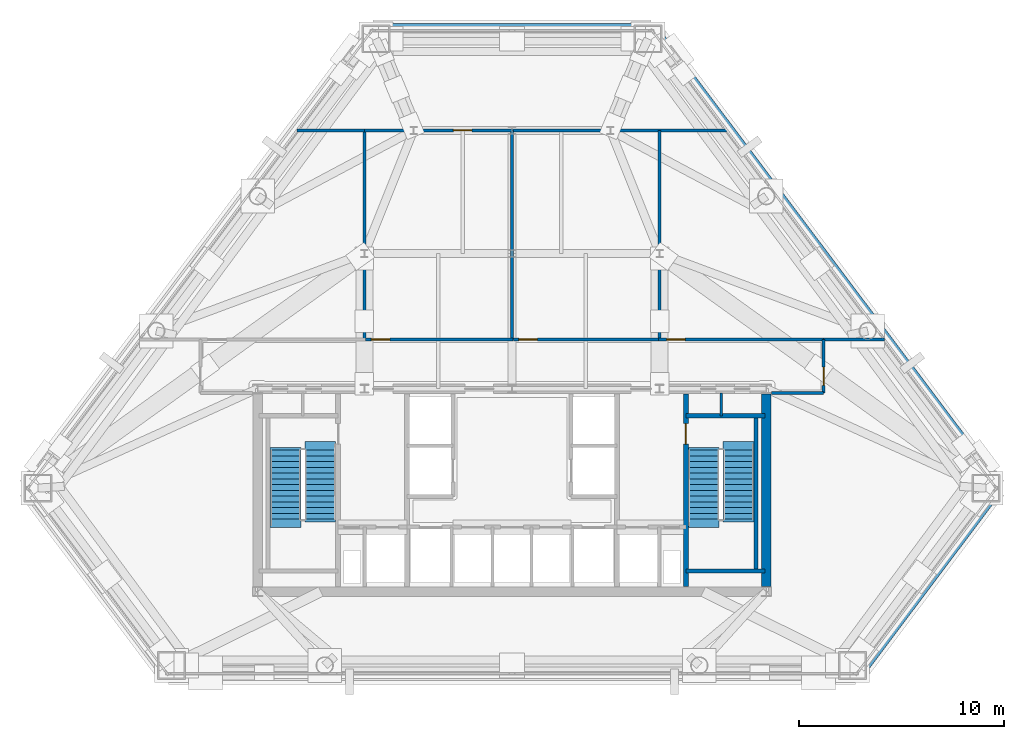
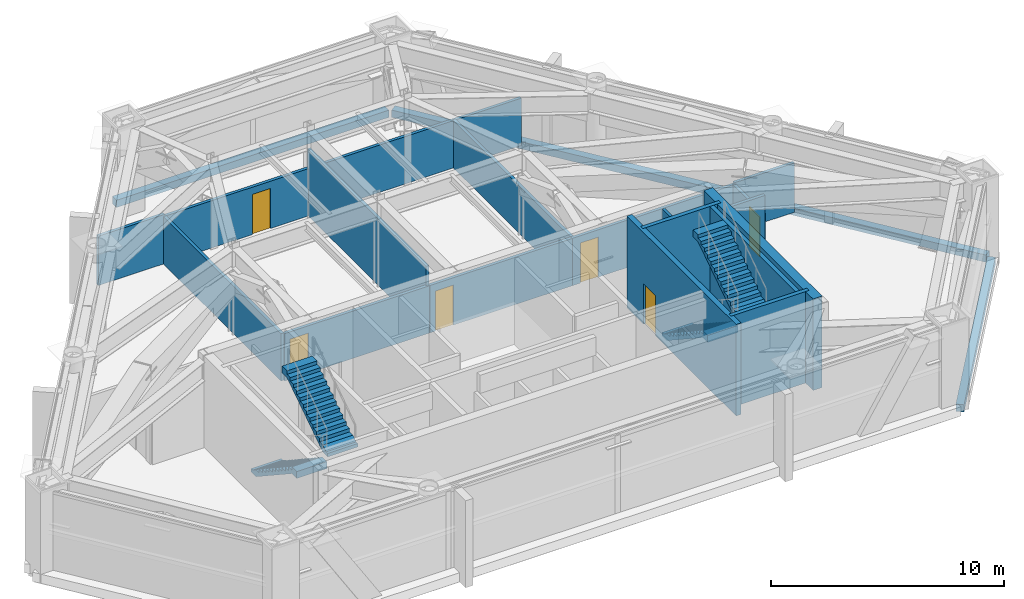
# One storey, part 7 of 9: 21 walls, 6 doors, 4 stair flights, 6 openings, 2 elements without a shape of their own.
"""IFC4 building model written with IfcOpenShell, lengths in metres."""

from ifc_helpers import new_model, si_unit, direction, frame, frame_2d, origin, place, context, subcontext, project, spatial, polyline, rectangle, outline, extrude, material, layer, layer_set, type_object, element, fill, aggregate, save


model = new_model("IFC4")

# Units and contexts
model_context = context("Model", 3, precision=1e-05, world=origin(), true_north=direction((0.0, 1.0)))
body_context = subcontext(model_context, "Body", "Model", "MODEL_VIEW")
ifc_project = project(units=[si_unit("LENGTHUNIT", "METRE"), si_unit("AREAUNIT", "SQUARE_METRE"), si_unit("VOLUMEUNIT", "CUBIC_METRE"), si_unit("PLANEANGLEUNIT", "RADIAN"), si_unit("MASSUNIT", "GRAM", prefix="KILO")], contexts=[model_context])

# Site, building, storey
site_placement = place(None, origin())
site = spatial("IfcSite", under=ifc_project, at=site_placement, CompositionType="ELEMENT")
building_placement = place(site_placement, origin())
building = spatial("IfcBuilding", under=site, at=building_placement, Name="Talgorran Terracotta Tower", CompositionType="ELEMENT")
storey_placement = place(building_placement, frame((0.0, 0.0, 90.0)))
storey = spatial("IfcBuildingStorey", under=building, at=storey_placement, Name="L23", CompositionType="ELEMENT", Elevation=90.0)

# Walls
ifc_material_1 = material(Name="Concrete C50/60", Category="concrete")
ifc_layer_1 = layer(ifc_material_1, 0.199951171875, Name="WT_CORE_200")
ifc_layer_set_1 = layer_set([ifc_layer_1], Name="Concrete C50/60")
wall_type_1 = type_object("IfcWallType", Name="WT_CORE_200", PredefinedType="SOLIDWALL", material=ifc_layer_set_1)
for number, where, z_axis, x_axis, name in (
    (1, (8.47998046875, -5.52001953125, 0.0), (0.0, 0.0, 1.0), (1.0, 0.0, 0.0), "WL-L23-CW-ST2-N"),
    (2, (8.47998046875, -13.10009765625, 0.0), (0.0, 0.0, 1.0), (1.0, 0.0, 0.0), "WL-L23-CW-ST2-S"),
):
    element("IfcWall", number, at=place(storey_placement, frame(where, z_axis=z_axis, x_axis=x_axis)), inside=storey, type_object=wall_type_1, Name=name, PredefinedType="SOLIDWALL", context=body_context, shape_type="SweptSolid", body=[
        extrude(rectangle(XDim=3.8701171875, YDim=0.199951171875, at=frame_2d((1.93505859375, 0.0))), origin(), (0.0, 0.0, 1.0), 4.800048828125),
    ])
wall_1_placement = place(storey_placement, frame((11.89990234375, -13.10009765625, 0.0), z_axis=(0.0, 0.0, 1.0), x_axis=(0.0, 1.0, 0.0)))
element("IfcWall", 3, at=wall_1_placement, inside=storey, type_object=wall_type_1, Name="WL-L23-CW-ST2-E", PredefinedType="SOLIDWALL", context=body_context, shape_type="SweptSolid", body=[
    extrude(rectangle(XDim=7.580078125, YDim=0.199951171875, at=frame_2d((3.7900390625, 0.0))), origin(), (0.0, 0.0, 1.0), 4.800048828125),
])

# Wall, opening, door
ifc_layer_2 = layer(ifc_material_1, 0.25, Name="WT_CORE_250")
ifc_layer_set_2 = layer_set([ifc_layer_2], Name="Concrete C50/60")
wall_type_2 = type_object("IfcWallType", Name="WT_CORE_250", PredefinedType="SHEAR", material=ifc_layer_set_2)
wall_2_placement = place(storey_placement, frame((8.47998046875, -13.85009765625, 0.0), z_axis=(0.0, 0.0, 1.0), x_axis=(0.0, 1.0, 0.0)))
wall_2 = element("IfcWall", 4, at=wall_2_placement, inside=storey, type_object=wall_type_2, Name="WL-L23-CW-V-E1", PredefinedType="SHEAR", context=body_context, shape_type="SweptSolid", body=[
    extrude(rectangle(XDim=9.400146484375, YDim=0.25, at=frame_2d((4.7001953125, 0.0))), origin(), (0.0, 0.0, 1.0), 4.800048828125),
])
opening_1_placement = place(wall_2_placement, frame((6.949951171875, 0.0, 0.0)))
opening_1 = element("IfcOpeningElement", 5, at=opening_1_placement, cuts=wall_2, Name="Opening DR-ST02", PredefinedType="OPENING", context=body_context, shape_type="SweptSolid", body=[
    extrude(rectangle(XDim=1.006, YDim=2.10409765625, at=frame_2d((0.5, 1.052001953125))), frame((0.0, 0.135009765625, 0.0), z_axis=(0.0, -1.0, 0.0), x_axis=(1.0, 0.0, 0.0)), (0.0, 0.0, 1.0), 0.27001953125),
])
ifc_material_2 = material(Name="Fire-Rated Pressed Steel", Category="steel")
door_type_1 = type_object("IfcDoorType", Name="DT_FIRE_1000", OperationType="NOTDEFINED", PredefinedType="DOOR", material=ifc_material_2)
door_1_placement = place(opening_1_placement, origin())
door_1 = element("IfcDoor", 6, at=door_1_placement, inside=storey, type_object=door_type_1, Name="DR-ST02", OperationType="SINGLE_SWING_RIGHT", OverallHeight=2.10009765625, OverallWidth=1.0, PredefinedType="DOOR", context=body_context, shape_type="SweptSolid", body=[
    extrude(rectangle(XDim=1.0, YDim=2.10009765625, at=frame_2d((0.5, 1.050048828125))), frame((0.0, 0.02490234375, 0.0), z_axis=(0.0, -1.0, 0.0), x_axis=(1.0, 0.0, 0.0)), (0.0, 0.0, 1.0), 0.050048828125),
])
fill(opening_1, door_1)

# Walls
ifc_material_3 = material(Name="Concrete C65/80", Category="concrete")
ifc_layer_3 = layer(ifc_material_3, 0.449951171875, Name="WT_CORE_EXT")
ifc_layer_set_3 = layer_set([ifc_layer_3], Name="Concrete C65/80")
wall_type_3 = type_object("IfcWallType", Name="WT_CORE_EXT", PredefinedType="SHEAR", material=ifc_layer_set_3)
wall_3_placement = place(storey_placement, frame((12.39990234375, -13.85009765625, 0.0), z_axis=(0.0, 0.0, 1.0), x_axis=(0.0, 1.0, 0.0)))
element("IfcWall", 7, at=wall_3_placement, inside=storey, type_object=wall_type_3, Name="WL-L23-CW-OUT-E", PredefinedType="SHEAR", context=body_context, shape_type="SweptSolid", body=[
    extrude(rectangle(XDim=9.400146484375, YDim=0.449951171875, at=frame_2d((4.7001953125, 0.0))), origin(), (0.0, 0.0, 1.0), 4.800048828125),
])
ifc_material_4 = material(Name="Fire-Rated Steel Stud Plasterboard", Category="steel")
ifc_layer_4 = layer(ifc_material_4, 0.14990234375, Name="WT_FIRE_150")
ifc_layer_set_4 = layer_set([ifc_layer_4], Name="Fire-Rated Steel Stud Plasterboard")
wall_type_4 = type_object("IfcWallType", Name="WT_FIRE_150", PredefinedType="PARTITIONING", material=ifc_layer_set_4)
wall_4_placement = place(storey_placement, frame((-7.199951171875, -1.800048828125, 0.0), z_axis=(0.0, 0.0, 1.0), x_axis=(0.0, 1.0, 0.0)))
element("IfcWall", 8, at=wall_4_placement, inside=storey, type_object=wall_type_4, Name="WL-L23-W-L23-R11", PredefinedType="PARTITIONING", context=body_context, shape_type="SweptSolid", body=[
    extrude(rectangle(XDim=10.199951171875, YDim=0.14990234375, at=frame_2d((5.10009765625, 0.0))), origin(), (0.0, 0.0, 1.0), 2.485107421875),
])
wall_5_placement = place(storey_placement, frame((0.0, -1.800048828125, 0.0), z_axis=(0.0, 0.0, 1.0), x_axis=(0.0, 1.0, 0.0)))
element("IfcWall", 9, at=wall_5_placement, inside=storey, type_object=wall_type_4, Name="WL-L23-W-L23-R13", PredefinedType="PARTITIONING", context=body_context, shape_type="SweptSolid", body=[
    extrude(rectangle(XDim=10.199951171875, YDim=0.14990234375, at=frame_2d((5.10009765625, 0.0))), origin(), (0.0, 0.0, 1.0), 3.4951171875),
])
wall_6_placement = place(storey_placement, frame((7.199951171875, -1.800048828125, 0.0), z_axis=(0.0, 0.0, 1.0), x_axis=(0.0, 1.0, 0.0)))
element("IfcWall", 10, at=wall_6_placement, inside=storey, type_object=wall_type_4, Name="WL-L23-W-L23-R15", PredefinedType="PARTITIONING", context=body_context, shape_type="SweptSolid", body=[
    extrude(rectangle(XDim=10.199951171875, YDim=0.14990234375, at=frame_2d((5.10009765625, 0.0))), origin(), (0.0, 0.0, 1.0), 2.485107421875),
])

# Wall, opening, door
wall_7_placement = place(storey_placement, frame((7.139892578125, -1.800048828125, 0.0), z_axis=(0.0, 0.0, 1.0), x_axis=(1.0, 0.0, 0.0)))
wall_7 = element("IfcWall", 11, at=wall_7_placement, inside=storey, type_object=wall_type_4, Name="WL-L23-W-L23-R08", PredefinedType="PARTITIONING", context=body_context, shape_type="SweptSolid", body=[
    extrude(rectangle(XDim=8.06005859375, YDim=0.14990234375, at=frame_2d((4.030029296875, 0.0))), origin(), (0.0, 0.0, 1.0), 2.485107421875),
])
opening_2_placement = place(wall_7_placement, frame((0.39990234375, 0.0, 0.0)))
opening_2 = element("IfcOpeningElement", 12, at=opening_2_placement, cuts=wall_7, Name="Opening DR-L23-R06", PredefinedType="OPENING", context=body_context, shape_type="SweptSolid", body=[
    extrude(rectangle(XDim=0.90590234375, YDim=2.10409765625, at=frame_2d((0.449951171875, 1.052001953125))), frame((0.0, 0.0849609375, 0.0), z_axis=(0.0, -1.0, 0.0), x_axis=(1.0, 0.0, 0.0)), (0.0, 0.0, 1.0), 0.169921875),
])
ifc_material_5 = material(Name="Fire-Rated Timber Core", Category="wood")
door_type_2 = type_object("IfcDoorType", Name="DT_FIRE_900", OperationType="NOTDEFINED", PredefinedType="DOOR", material=ifc_material_5)
door_2_placement = place(opening_2_placement, origin())
door_2 = element("IfcDoor", 13, at=door_2_placement, inside=storey, type_object=door_type_2, Name="DR-L23-R06", OperationType="SINGLE_SWING_RIGHT", OverallHeight=2.10009765625, OverallWidth=0.89990234375, PredefinedType="DOOR", context=body_context, shape_type="SweptSolid", body=[
    extrude(rectangle(XDim=0.89990234375, YDim=2.10009765625, at=frame_2d((0.449951171875, 1.050048828125))), frame((0.0, 0.02490234375, 0.0), z_axis=(0.0, -1.0, 0.0), x_axis=(1.0, 0.0, 0.0)), (0.0, 0.0, 1.0), 0.050048828125),
])
fill(opening_2, door_2)

wall_8_placement = place(storey_placement, frame((-7.137939453125, -1.800048828125, 0.0), z_axis=(0.0, 0.0, 1.0), x_axis=(1.0, 0.0, 0.0)))
wall_8 = element("IfcWall", 14, at=wall_8_placement, inside=storey, type_object=wall_type_4, Name="WL-L23-W-L23-R06", PredefinedType="PARTITIONING", context=body_context, shape_type="SweptSolid", body=[
    extrude(rectangle(XDim=7.197998046875, YDim=0.14990234375, at=frame_2d((3.59912109375, 0.0))), origin(), (0.0, 0.0, 1.0), 2.485107421875),
])
opening_3_placement = place(wall_8_placement, frame((0.277099609375, 0.0, 0.0)))
opening_3 = element("IfcOpeningElement", 15, at=opening_3_placement, cuts=wall_8, Name="Opening DR-L23-R04", PredefinedType="OPENING", context=body_context, shape_type="SweptSolid", body=[
    extrude(rectangle(XDim=0.90590234375, YDim=2.10409765625, at=frame_2d((0.449951171875, 1.052001953125))), frame((0.0, 0.0849609375, 0.0), z_axis=(0.0, -1.0, 0.0), x_axis=(1.0, 0.0, 0.0)), (0.0, 0.0, 1.0), 0.169921875),
])
door_3_placement = place(opening_3_placement, origin())
door_3 = element("IfcDoor", 16, at=door_3_placement, inside=storey, type_object=door_type_2, Name="DR-L23-R04", OperationType="SINGLE_SWING_RIGHT", OverallHeight=2.10009765625, OverallWidth=0.89990234375, PredefinedType="DOOR", context=body_context, shape_type="SweptSolid", body=[
    extrude(rectangle(XDim=0.89990234375, YDim=2.10009765625, at=frame_2d((0.449951171875, 1.050048828125))), frame((0.0, 0.02490234375, 0.0), z_axis=(0.0, -1.0, 0.0), x_axis=(1.0, 0.0, 0.0)), (0.0, 0.0, 1.0), 0.050048828125),
])
fill(opening_3, door_3)

wall_9_placement = place(storey_placement, frame((0.06201171875, -1.800048828125, 0.0), z_axis=(0.0, 0.0, 1.0), x_axis=(1.0, 0.0, 0.0)))
wall_9 = element("IfcWall", 17, at=wall_9_placement, inside=storey, type_object=wall_type_4, Name="WL-L23-W-L23-R07", PredefinedType="PARTITIONING", context=body_context, shape_type="SweptSolid", body=[
    extrude(rectangle(XDim=7.075927734375, YDim=0.14990234375, at=frame_2d((3.5380859375, 0.0))), origin(), (0.0, 0.0, 1.0), 2.485107421875),
])
opening_4_placement = place(wall_9_placement, frame((0.277099609375, 0.0, 0.0)))
opening_4 = element("IfcOpeningElement", 18, at=opening_4_placement, cuts=wall_9, Name="Opening DR-L23-R05", PredefinedType="OPENING", context=body_context, shape_type="SweptSolid", body=[
    extrude(rectangle(XDim=0.90590234375, YDim=2.10409765625, at=frame_2d((0.449951171875, 1.052001953125))), frame((0.0, 0.0849609375, 0.0), z_axis=(0.0, -1.0, 0.0), x_axis=(1.0, 0.0, 0.0)), (0.0, 0.0, 1.0), 0.169921875),
])
door_4_placement = place(opening_4_placement, origin())
door_4 = element("IfcDoor", 19, at=door_4_placement, inside=storey, type_object=door_type_2, Name="DR-L23-R05", OperationType="SINGLE_SWING_LEFT", OverallHeight=2.10009765625, OverallWidth=0.89990234375, PredefinedType="DOOR", context=body_context, shape_type="SweptSolid", body=[
    extrude(rectangle(XDim=0.89990234375, YDim=2.10009765625, at=frame_2d((0.449951171875, 1.050048828125))), frame((0.0, 0.02490234375, 0.0), z_axis=(0.0, -1.0, 0.0), x_axis=(1.0, 0.0, 0.0)), (0.0, 0.0, 1.0), 0.050048828125),
])
fill(opening_4, door_4)

wall_10_placement = place(storey_placement, frame((-7.199951171875, 8.39990234375, 0.0), z_axis=(0.0, 0.0, 1.0), x_axis=(1.0, 0.0, 0.0)))
wall_10 = element("IfcWall", 20, at=wall_10_placement, inside=storey, type_object=wall_type_4, Name="WL-L23-W-L23-R14", PredefinedType="PARTITIONING", context=body_context, shape_type="SweptSolid", body=[
    extrude(rectangle(XDim=7.199951171875, YDim=0.14990234375, at=frame_2d((3.60009765625, 0.0))), origin(), (0.0, 0.0, 1.0), 2.485107421875),
])
opening_5_placement = place(wall_10_placement, frame((4.34619140625, 0.0, 0.0)))
opening_5 = element("IfcOpeningElement", 21, at=opening_5_placement, cuts=wall_10, Name="Opening DR-L23-R07", PredefinedType="OPENING", context=body_context, shape_type="SweptSolid", body=[
    extrude(rectangle(XDim=0.90590234375, YDim=2.10409765625, at=frame_2d((0.449951171875, 1.052001953125))), frame((0.0, 0.0849609375, 0.0), z_axis=(0.0, -1.0, 0.0), x_axis=(1.0, 0.0, 0.0)), (0.0, 0.0, 1.0), 0.169921875),
])
door_5_placement = place(opening_5_placement, origin())
door_5 = element("IfcDoor", 22, at=door_5_placement, inside=storey, type_object=door_type_2, Name="DR-L23-R07", OperationType="SINGLE_SWING_LEFT", OverallHeight=2.10009765625, OverallWidth=0.89990234375, PredefinedType="DOOR", context=body_context, shape_type="SweptSolid", body=[
    extrude(rectangle(XDim=0.89990234375, YDim=2.10009765625, at=frame_2d((0.449951171875, 1.050048828125))), frame((0.0, 0.02490234375, 0.0), z_axis=(0.0, -1.0, 0.0), x_axis=(1.0, 0.0, 0.0)), (0.0, 0.0, 1.0), 0.050048828125),
])
fill(opening_5, door_5)

# Walls
wall_11_placement = place(storey_placement, frame((0.0, 8.39990234375, 0.0), z_axis=(0.0, 0.0, 1.0), x_axis=(1.0, 0.0, 0.0)))
element("IfcWall", 23, at=wall_11_placement, inside=storey, type_object=wall_type_4, Name="WL-L23-W-L23-R16", PredefinedType="PARTITIONING", context=body_context, shape_type="SweptSolid", body=[
    extrude(rectangle(XDim=10.49560546875, YDim=0.14990234375, at=frame_2d((5.247802734375, 0.0))), origin(), (0.0, 0.0, 1.0), 2.485107421875),
])
wall_12_placement = place(storey_placement, frame((-10.49560546875, 8.39990234375, 0.0), z_axis=(0.0, 0.0, 1.0), x_axis=(1.0, 0.0, 0.0)))
element("IfcWall", 24, at=wall_12_placement, inside=storey, type_object=wall_type_4, Name="WL-L23-W-L23-R12", PredefinedType="PARTITIONING", context=body_context, shape_type="SweptSolid", body=[
    extrude(rectangle(XDim=3.295654296875, YDim=0.14990234375, at=frame_2d((1.64794921875, 0.0))), origin(), (0.0, 0.0, 1.0), 2.5849609375),
])
wall_13_placement = place(storey_placement, frame((15.199951171875, -1.800048828125, 0.0), z_axis=(0.0, 0.0, 1.0), x_axis=(1.0, 0.0, 0.0)))
element("IfcWall", 25, at=wall_13_placement, inside=storey, type_object=wall_type_4, Name="WL-L23-W-L23-R10", PredefinedType="PARTITIONING", context=body_context, shape_type="SweptSolid", body=[
    extrude(rectangle(XDim=2.966552734375, YDim=0.14990234375, at=frame_2d((1.4833984375, 0.0))), origin(), (0.0, 0.0, 1.0), 2.5849609375),
])
wall_14_placement = place(storey_placement, frame((12.652099609375, -4.39990234375, 0.0), z_axis=(0.0, 0.0, 1.0), x_axis=(1.0, 0.0, 0.0)))
element("IfcWall", 26, at=wall_14_placement, inside=storey, type_object=wall_type_4, Name="WL-L23-W-L23-R03", PredefinedType="PARTITIONING", context=body_context, shape_type="SweptSolid", body=[
    extrude(rectangle(XDim=2.5478515625, YDim=0.14990234375, at=frame_2d((1.27392578125, 0.0))), origin(), (0.0, 0.0, 1.0), 3.4951171875),
])

# Wall, opening, door
wall_15_placement = place(storey_placement, frame((15.199951171875, -4.39990234375, 0.0), z_axis=(0.0, 0.0, 1.0), x_axis=(0.0, 1.0, 0.0)))
wall_15 = element("IfcWall", 27, at=wall_15_placement, inside=storey, type_object=wall_type_4, Name="WL-L23-W-L23-R04", PredefinedType="PARTITIONING", context=body_context, shape_type="SweptSolid", body=[
    extrude(rectangle(XDim=2.599853515625, YDim=0.14990234375, at=frame_2d((1.2998046875, 0.0))), origin(), (0.0, 0.0, 1.0), 2.485107421875),
])
opening_6_placement = place(wall_15_placement, frame((0.356689453125, 0.0, 0.0)))
opening_6 = element("IfcOpeningElement", 28, at=opening_6_placement, cuts=wall_15, Name="Opening DR-L23-R02", PredefinedType="OPENING", context=body_context, shape_type="SweptSolid", body=[
    extrude(rectangle(XDim=0.90590234375, YDim=2.10409765625, at=frame_2d((0.449951171875, 1.052001953125))), frame((0.0, 0.0849609375, 0.0), z_axis=(0.0, -1.0, 0.0), x_axis=(1.0, 0.0, 0.0)), (0.0, 0.0, 1.0), 0.169921875),
])
door_6_placement = place(opening_6_placement, origin())
door_6 = element("IfcDoor", 29, at=door_6_placement, inside=storey, type_object=door_type_2, Name="DR-L23-R02", OperationType="SINGLE_SWING_RIGHT", OverallHeight=2.10009765625, OverallWidth=0.89990234375, PredefinedType="DOOR", context=body_context, shape_type="SweptSolid", body=[
    extrude(rectangle(XDim=0.89990234375, YDim=2.10009765625, at=frame_2d((0.449951171875, 1.050048828125))), frame((0.0, 0.02490234375, 0.0), z_axis=(0.0, -1.0, 0.0), x_axis=(1.0, 0.0, 0.0)), (0.0, 0.0, 1.0), 0.050048828125),
])
fill(opening_6, door_6)

# Walls
ifc_material_6 = material(Name="Concrete C40/50", Category="concrete")
ifc_layer_5 = layer(ifc_material_6, 0.219970703125, Name="WT_PARAPET_RC")
ifc_layer_set_5 = layer_set([ifc_layer_5], Name="Concrete C40/50")
wall_type_5 = type_object("IfcWallType", Name="WT_PARAPET_RC", PredefinedType="PARAPET", material=ifc_layer_set_5)
wall_16_placement = place(storey_placement, frame((16.989501953125, -18.134521484375, -0.199951171875), z_axis=(0.0, 0.0, 1.0), x_axis=(0.601045658487, 0.799214687311, 0.0)))
element("IfcWall", 30, at=wall_16_placement, inside=storey, type_object=wall_type_5, Name="L23 Striped Portal Precast Cornice F2", PredefinedType="PARAPET", context=body_context, shape_type="SweptSolid", body=[
    extrude(rectangle(XDim=11.164306640625, YDim=0.360107421875, at=frame_2d((5.58203125, 0.0))), origin(), (0.0, 0.0, 1.0), 0.3798828125),
])
wall_17_placement = place(storey_placement, frame((23.69970703125, -8.8916015625, -0.199951171875), z_axis=(0.0, 0.0, 1.0), x_axis=(-0.601043466881, 0.799216335493, 0.0)))
element("IfcWall", 31, at=wall_17_placement, inside=storey, type_object=wall_type_5, Name="L23 Striped Portal Precast Cornice F3", PredefinedType="PARAPET", context=body_context, shape_type="SweptSolid", body=[
    extrude(rectangle(XDim=27.763427734375, YDim=0.360107421875, at=frame_2d((13.8818359375, 0.0))), origin(), (0.0, 0.0, 1.0), 0.3798828125),
])
wall_18_placement = place(storey_placement, frame((6.756591796875, 13.425048828125, -0.199951171875), z_axis=(0.0, 0.0, 1.0), x_axis=(-1.0, 0.0, 0.0)))
element("IfcWall", 32, at=wall_18_placement, inside=storey, type_object=wall_type_5, Name="L23 Striped Portal Precast Cornice F4", PredefinedType="PARAPET", context=body_context, shape_type="SweptSolid", body=[
    extrude(rectangle(XDim=13.51318359375, YDim=0.360107421875, at=frame_2d((6.756591796875, 0.0))), origin(), (0.0, 0.0, 1.0), 0.3798828125),
])
ifc_material_7 = material(Name="Insulated Steel Stud Plasterboard", Category="steel")
ifc_layer_6 = layer(ifc_material_7, 0.1201171875, Name="WT_PART_120")
ifc_layer_set_6 = layer_set([ifc_layer_6], Name="Insulated Steel Stud Plasterboard")
wall_type_6 = type_object("IfcWallType", Name="WT_PART_120", PredefinedType="PARTITIONING", material=ifc_layer_set_6)
wall_19_placement = place(storey_placement, frame((10.199951171875, -5.52001953125, 0.0), z_axis=(0.0, 0.0, 1.0), x_axis=(0.0, 1.0, 0.0)))
element("IfcWall", 33, at=wall_19_placement, inside=storey, type_object=wall_type_6, Name="WL-L23-CW-CSE-DIV", PredefinedType="PARTITIONING", context=body_context, shape_type="SweptSolid", body=[
    extrude(rectangle(XDim=1.1201171875, YDim=0.1201171875, at=frame_2d((0.56005859375, 0.0))), origin(), (0.0, 0.0, 1.0), 4.52001953125),
])

# Stair, stair flights
stair_type = type_object("IfcStairType", Name="ST_FIRE_SCISSOR", PredefinedType="HALF_TURN_STAIR", material=ifc_material_6)
stair_1_placement = place(storey_placement, origin())
stair_1 = element("IfcStair", 34, at=stair_1_placement, inside=storey, type_object=stair_type, Name="L23 West Protected Fire Stair ST-01", PredefinedType="HALF_TURN_STAIR")
ifc_layer_7 = layer(ifc_material_6, 0.179931640625, Name="STF_RC_1500")
ifc_layer_set_7 = layer_set([ifc_layer_7], Name="Concrete C40/50")
stair_flight_type = type_object("IfcStairFlightType", Name="STF_RC_1500", PredefinedType="STRAIGHT", material=ifc_layer_set_7)
stair_flight_1_placement = place(storey_placement, frame((-11.050048828125, -7.199951171875, 0.0), z_axis=(0.0, 0.0, 1.0), x_axis=(0.0, -1.0, 0.0)))
stair_flight_1 = element("IfcStairFlight", 35, at=stair_flight_1_placement, type_object=stair_flight_type, Name="ST-01 flight 1", NumberOfRisers=13, NumberOfTreads=12, PredefinedType="STRAIGHT", RiserHeight=0.184615385, TreadLength=0.28, context=body_context, shape_type="SweptSolid", body=[
    extrude(outline(polyline([(-0.139892578125, 0.0), (-0.139892578125, 0.1845703125), (0.0, 0.1845703125), (0.280029296875, 0.369140625), (0.56005859375, 0.369140625), (0.56005859375, 0.553955078125), (0.840087890625, 0.553955078125), (0.840087890625, 0.738525390625), (1.1201171875, 0.738525390625), (1.1201171875, 0.923095703125), (1.39990234375, 0.923095703125), (1.39990234375, 1.107666015625), (1.679931640625, 1.107666015625), (1.679931640625, 1.292236328125), (1.9599609375, 1.292236328125), (1.9599609375, 1.476806640625), (2.239990234375, 1.476806640625), (2.239990234375, 1.66162109375), (2.52001953125, 1.66162109375), (2.52001953125, 1.84619140625), (2.800048828125, 1.84619140625), (2.800048828125, 2.03076171875), (3.080078125, 2.03076171875), (3.080078125, 2.21533203125), (3.360107421875, 2.21533203125), (3.360107421875, 2.39990234375), (3.780029296875, 2.39990234375), (3.780029296875, 2.035888671875), (3.360107421875, 2.035888671875), (0.272216796875, 0.0), (-0.139892578125, 0.0)])), frame((0.0, 0.75, 0.0), z_axis=(0.0, -1.0, 0.0), x_axis=(1.0, 0.0, 0.0)), (0.0, 0.0, 1.0), 1.5),
])
stair_flight_2_placement = place(storey_placement, frame((-9.35009765625, -10.56005859375, 2.39990234375), z_axis=(0.0, 0.0, 1.0), x_axis=(0.0, 1.0, 0.0)))
stair_flight_2 = element("IfcStairFlight", 36, at=stair_flight_2_placement, type_object=stair_flight_type, Name="ST-01 flight 2", NumberOfRisers=13, NumberOfTreads=12, PredefinedType="STRAIGHT", RiserHeight=0.184615385, TreadLength=0.28, context=body_context, shape_type="SweptSolid", body=[
    extrude(outline(polyline([(-0.139892578125, 0.0), (-0.139892578125, 0.1845703125), (0.0, 0.1845703125), (0.280029296875, 0.369140625), (0.56005859375, 0.369140625), (0.56005859375, 0.553955078125), (0.840087890625, 0.553955078125), (0.840087890625, 0.738525390625), (1.1201171875, 0.738525390625), (1.1201171875, 0.923095703125), (1.39990234375, 0.923095703125), (1.39990234375, 1.107666015625), (1.679931640625, 1.107666015625), (1.679931640625, 1.292236328125), (1.9599609375, 1.292236328125), (1.9599609375, 1.476806640625), (2.239990234375, 1.476806640625), (2.239990234375, 1.66162109375), (2.52001953125, 1.66162109375), (2.52001953125, 1.84619140625), (2.800048828125, 1.84619140625), (2.800048828125, 2.03076171875), (3.080078125, 2.03076171875), (3.080078125, 2.21533203125), (3.360107421875, 2.21533203125), (3.360107421875, 2.39990234375), (3.780029296875, 2.39990234375), (3.780029296875, 2.035888671875), (3.360107421875, 2.035888671875), (0.272216796875, 0.0), (-0.139892578125, 0.0)])), frame((0.0, 0.75, 0.0), z_axis=(0.0, -1.0, 0.0), x_axis=(1.0, 0.0, 0.0)), (0.0, 0.0, 1.0), 1.5),
])
aggregate(stair_1, [stair_flight_1, stair_flight_2])

stair_2_placement = place(storey_placement, origin())
stair_2 = element("IfcStair", 37, at=stair_2_placement, inside=storey, type_object=stair_type, Name="L23 East Protected Fire Stair ST-02", PredefinedType="HALF_TURN_STAIR")
stair_flight_3_placement = place(storey_placement, frame((9.35009765625, -7.199951171875, 0.0), z_axis=(0.0, 0.0, 1.0), x_axis=(0.0, -1.0, 0.0)))
stair_flight_3 = element("IfcStairFlight", 38, at=stair_flight_3_placement, type_object=stair_flight_type, Name="ST-02 flight 1", NumberOfRisers=13, NumberOfTreads=12, PredefinedType="STRAIGHT", RiserHeight=0.184615385, TreadLength=0.28, context=body_context, shape_type="SweptSolid", body=[
    extrude(outline(polyline([(-0.139892578125, 0.0), (-0.139892578125, 0.1845703125), (0.0, 0.1845703125), (0.280029296875, 0.369140625), (0.56005859375, 0.369140625), (0.56005859375, 0.553955078125), (0.840087890625, 0.553955078125), (0.840087890625, 0.738525390625), (1.1201171875, 0.738525390625), (1.1201171875, 0.923095703125), (1.39990234375, 0.923095703125), (1.39990234375, 1.107666015625), (1.679931640625, 1.107666015625), (1.679931640625, 1.292236328125), (1.9599609375, 1.292236328125), (1.9599609375, 1.476806640625), (2.239990234375, 1.476806640625), (2.239990234375, 1.66162109375), (2.52001953125, 1.66162109375), (2.52001953125, 1.84619140625), (2.800048828125, 1.84619140625), (2.800048828125, 2.03076171875), (3.080078125, 2.03076171875), (3.080078125, 2.21533203125), (3.360107421875, 2.21533203125), (3.360107421875, 2.39990234375), (3.780029296875, 2.39990234375), (3.780029296875, 2.035888671875), (3.360107421875, 2.035888671875), (0.272216796875, 0.0), (-0.139892578125, 0.0)])), frame((0.0, 0.75, 0.0), z_axis=(0.0, -1.0, 0.0), x_axis=(1.0, 0.0, 0.0)), (0.0, 0.0, 1.0), 1.5),
])
stair_flight_4_placement = place(storey_placement, frame((11.050048828125, -10.56005859375, 2.39990234375), z_axis=(0.0, 0.0, 1.0), x_axis=(0.0, 1.0, 0.0)))
stair_flight_4 = element("IfcStairFlight", 39, at=stair_flight_4_placement, type_object=stair_flight_type, Name="ST-02 flight 2", NumberOfRisers=13, NumberOfTreads=12, PredefinedType="STRAIGHT", RiserHeight=0.184615385, TreadLength=0.28, context=body_context, shape_type="SweptSolid", body=[
    extrude(outline(polyline([(-0.139892578125, 0.0), (-0.139892578125, 0.1845703125), (0.0, 0.1845703125), (0.280029296875, 0.369140625), (0.56005859375, 0.369140625), (0.56005859375, 0.553955078125), (0.840087890625, 0.553955078125), (0.840087890625, 0.738525390625), (1.1201171875, 0.738525390625), (1.1201171875, 0.923095703125), (1.39990234375, 0.923095703125), (1.39990234375, 1.107666015625), (1.679931640625, 1.107666015625), (1.679931640625, 1.292236328125), (1.9599609375, 1.292236328125), (1.9599609375, 1.476806640625), (2.239990234375, 1.476806640625), (2.239990234375, 1.66162109375), (2.52001953125, 1.66162109375), (2.52001953125, 1.84619140625), (2.800048828125, 1.84619140625), (2.800048828125, 2.03076171875), (3.080078125, 2.03076171875), (3.080078125, 2.21533203125), (3.360107421875, 2.21533203125), (3.360107421875, 2.39990234375), (3.780029296875, 2.39990234375), (3.780029296875, 2.035888671875), (3.360107421875, 2.035888671875), (0.272216796875, 0.0), (-0.139892578125, 0.0)])), frame((0.0, 0.75, 0.0), z_axis=(0.0, -1.0, 0.0), x_axis=(1.0, 0.0, 0.0)), (0.0, 0.0, 1.0), 1.5),
])
aggregate(stair_2, [stair_flight_3, stair_flight_4])

save(model, "model.ifc")
